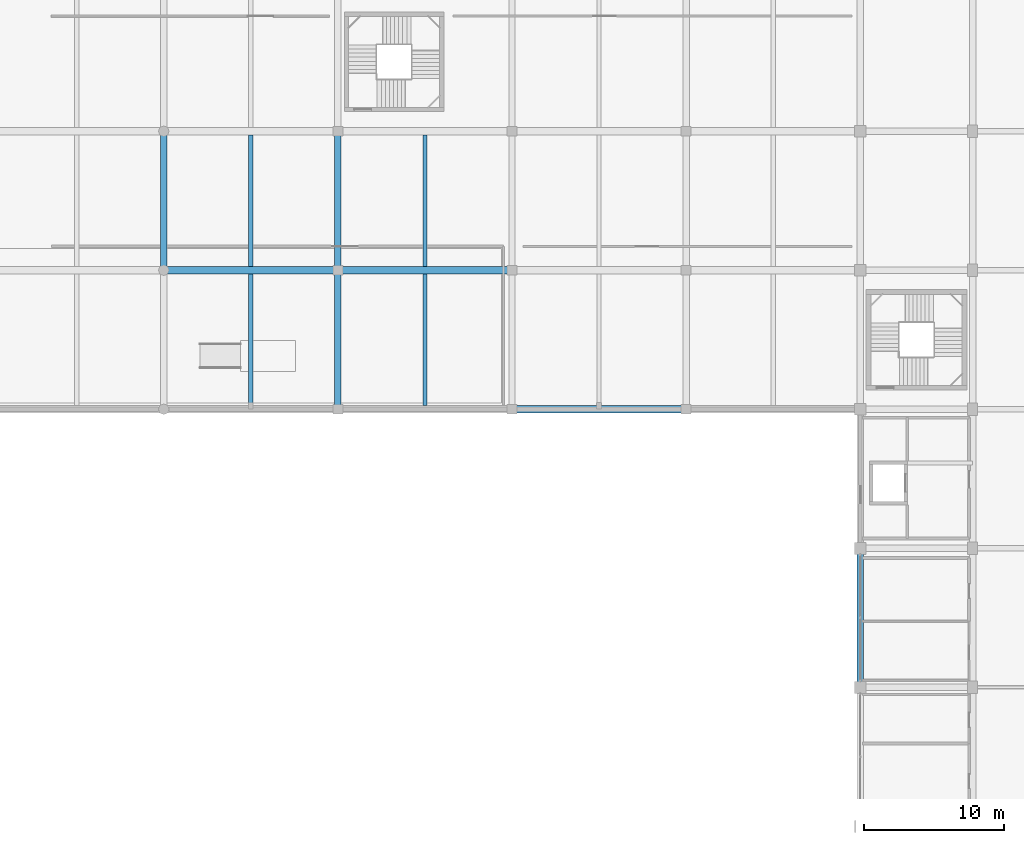
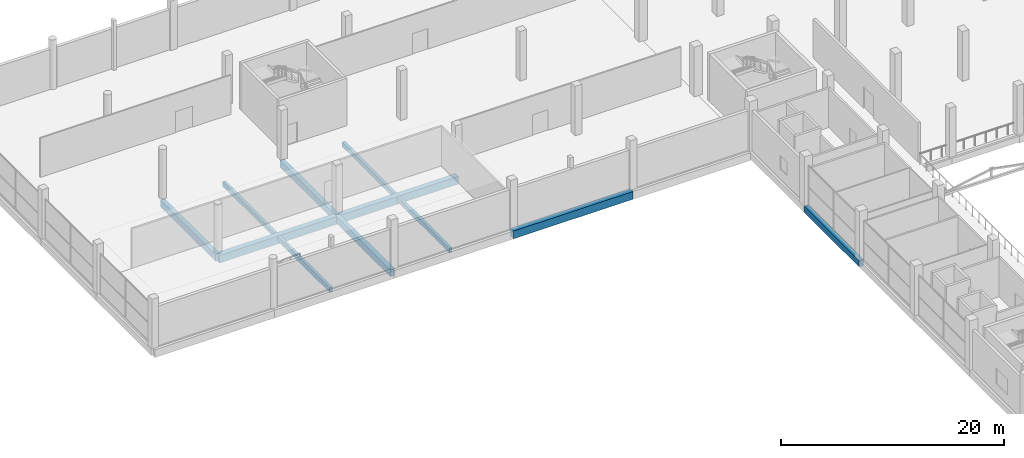
# One storey, part 21 of 74: 11 beams.
"""IFC4 building model written with IfcOpenShell, lengths in metres."""

from ifc_helpers import new_model, si_unit, direction, frame, origin, origin_2d, place, context, subcontext, project, spatial, rectangle, extrude, material, material_profile, profile_set, type_object, element, save


model = new_model("IFC4")

# Units and contexts
model_context = context("Model", 3, precision=1e-05, world=origin(), true_north=direction((0.0, 1.0)))
body_context = subcontext(model_context, "Body", "Model", "MODEL_VIEW")
ifc_project = project(units=[si_unit("LENGTHUNIT", "METRE"), si_unit("AREAUNIT", "SQUARE_METRE"), si_unit("VOLUMEUNIT", "CUBIC_METRE"), si_unit("PLANEANGLEUNIT", "RADIAN"), si_unit("MASSUNIT", "GRAM", prefix="KILO")], contexts=[model_context])

# Site, building, storey
site_placement = place(None, origin())
site = spatial("IfcSite", under=ifc_project, at=site_placement, CompositionType="ELEMENT")
building_placement = place(site_placement, origin())
building = spatial("IfcBuilding", under=site, at=building_placement, Name="Sillaruma Civic Art Gallery", CompositionType="ELEMENT")
storey_placement = place(building_placement, frame((0.0, 0.0, 5.43994140625)))
storey = spatial("IfcBuildingStorey", under=building, at=storey_placement, Name="L01", CompositionType="ELEMENT", Elevation=5.43994140625)

# Beams
ifc_material_1 = material(Name="Concrete H40 (40 MPa)", Category="concrete")
ifc_material_profile_1 = material_profile(ifc_material_1, rectangle(XDim=0.449951171875, YDim=0.75, at=origin_2d()), Name="RCB450x750")
ifc_profile_set_1 = profile_set([ifc_material_profile_1], Name="Concrete H40 (40 MPa)")
beam_type_1 = type_object("IfcBeamType", Name="BM-BEAM-RCB450x750", PredefinedType="BEAM", material=ifc_profile_set_1)
beam_1_placement = place(storey_placement, frame((12.39990234375, 89.10009765625, -0.635009765625), z_axis=(0.0, 1.0, 0.0), x_axis=(-1.0, 0.0, 0.0)))
element("IfcBeam", 1, at=beam_1_placement, inside=storey, type_object=beam_type_1, Name="Beam BM-03 (L00:B:10-11)", PredefinedType="BEAM", context=body_context, shape_type="SweptSolid", body=[
    extrude(rectangle(XDim=0.449951171875, YDim=0.75, at=origin_2d()), origin(), (0.0, 0.0, 1.0), 9.89990234375),
])
beam_2_placement = place(storey_placement, frame((24.800048828125, 79.199951171875, -0.635009765625), z_axis=(0.0, 1.0, 0.0), x_axis=(-1.0, 0.0, 0.0)))
element("IfcBeam", 2, at=beam_2_placement, inside=storey, type_object=beam_type_1, Name="Beam BM-03 (L00:C:9-10)", PredefinedType="BEAM", context=body_context, shape_type="SweptSolid", body=[
    extrude(rectangle(XDim=0.449951171875, YDim=0.75, at=origin_2d()), origin(), (0.0, 0.0, 1.0), 9.900146484375),
])
beam_3_placement = place(storey_placement, frame((24.800048828125, 89.10009765625, -0.635009765625), z_axis=(0.0, 1.0, 0.0), x_axis=(-1.0, 0.0, 0.0)))
element("IfcBeam", 3, at=beam_3_placement, inside=storey, type_object=beam_type_1, Name="Beam BM-03 (L00:C:10-11)", PredefinedType="BEAM", context=body_context, shape_type="SweptSolid", body=[
    extrude(rectangle(XDim=0.449951171875, YDim=0.75, at=origin_2d()), origin(), (0.0, 0.0, 1.0), 9.89990234375),
])
ifc_material_profile_2 = material_profile(ifc_material_1, rectangle(XDim=0.550048828125, YDim=0.85009765625, at=origin_2d()), Name="RCB550x850")
ifc_profile_set_2 = profile_set([ifc_material_profile_2], Name="Concrete H40 (40 MPa)")
beam_type_2 = type_object("IfcBeamType", Name="BM-BEAM-RCB550x850", PredefinedType="BEAM", material=ifc_profile_set_2)
for number, where, z_axis, x_axis, name in (
    (4, (37.199951171875, 79.199951171875, -0.68505859375), (1.0, 0.0, 0.0), (0.0, 1.0, 0.0), "Beam BM-01 (L00:9:D-E)"),
    (5, (12.39990234375, 89.10009765625, -0.68505859375), (1.0, 0.0, 0.0), (0.0, 1.0, 0.0), "Beam BM-01 (L00:10:B-C)"),
):
    element("IfcBeam", number, at=place(storey_placement, frame(where, z_axis=z_axis, x_axis=x_axis)), inside=storey, type_object=beam_type_2, Name=name, PredefinedType="BEAM", context=body_context, shape_type="SweptSolid", body=[
        extrude(rectangle(XDim=0.550048828125, YDim=0.85009765625, at=origin_2d()), origin(), (0.0, 0.0, 1.0), 12.400146484375),
    ])
beam_4_placement = place(storey_placement, frame((24.800048828125, 89.10009765625, -0.68505859375), z_axis=(1.0, 0.0, 0.0), x_axis=(0.0, 1.0, 0.0)))
element("IfcBeam", 6, at=beam_4_placement, inside=storey, type_object=beam_type_2, Name="Beam BM-01 (L00:10:C-D)", PredefinedType="BEAM", context=body_context, shape_type="SweptSolid", body=[
    extrude(rectangle(XDim=0.550048828125, YDim=0.85009765625, at=origin_2d()), origin(), (0.0, 0.0, 1.0), 12.39990234375),
])
ifc_material_2 = material(Name="Concrete H35 (35 MPa)", Category="concrete")
ifc_material_profile_3 = material_profile(ifc_material_2, rectangle(XDim=0.300048828125, YDim=0.52001953125, at=origin_2d()), Name="RCB300x520")
ifc_profile_set_3 = profile_set([ifc_material_profile_3], Name="Concrete H35 (35 MPa)")
beam_type_3 = type_object("IfcBeamType", Name="BM-JOIST-RCB300x520", PredefinedType="JOIST", material=ifc_profile_set_3)
for number, where, z_axis, x_axis, name in (
    (7, (18.60009765625, 79.47509765625, -0.52001953125), (0.0, 1.0, 0.0), (-1.0, 0.0, 0.0), "Floor Joist JR-01 (L00:BC:9-10)"),
    (8, (31.0, 79.47509765625, -0.52001953125), (0.0, 1.0, 0.0), (-1.0, 0.0, 0.0), "Floor Joist JR-01 (L00:CD:9-10)"),
):
    element("IfcBeam", number, at=place(storey_placement, frame(where, z_axis=z_axis, x_axis=x_axis)), inside=storey, type_object=beam_type_3, Name=name, PredefinedType="JOIST", context=body_context, shape_type="SweptSolid", body=[
        extrude(rectangle(XDim=0.300048828125, YDim=0.52001953125, at=origin_2d()), origin(), (0.0, 0.0, 1.0), 9.349853515625),
    ])
for number, where, z_axis, x_axis, name in (
    (9, (18.60009765625, 89.375, -0.52001953125), (0.0, 1.0, 0.0), (-1.0, 0.0, 0.0), "Floor Joist JR-01 (L00:BC:10-11)"),
    (10, (31.0, 89.375, -0.52001953125), (0.0, 1.0, 0.0), (-1.0, 0.0, 0.0), "Floor Joist JR-01 (L00:CD:10-11)"),
):
    element("IfcBeam", number, at=place(storey_placement, frame(where, z_axis=z_axis, x_axis=x_axis)), inside=storey, type_object=beam_type_3, Name=name, PredefinedType="JOIST", context=body_context, shape_type="SweptSolid", body=[
        extrude(rectangle(XDim=0.300048828125, YDim=0.52001953125, at=origin_2d()), origin(), (0.0, 0.0, 1.0), 9.35009765625),
    ])
ifc_material_profile_4 = material_profile(ifc_material_2, rectangle(XDim=0.449951171875, YDim=0.699951171875, at=origin_2d()), Name="RCB450x700")
ifc_profile_set_4 = profile_set([ifc_material_profile_4], Name="Concrete H35 (35 MPa)")
beam_type_4 = type_object("IfcBeamType", Name="BM-SPANDREL-RCB450x700", PredefinedType="SPANDREL", material=ifc_profile_set_4)
beam_5_placement = place(storey_placement, frame((62.0, 59.39990234375, -0.60986328125), z_axis=(0.0, 1.0, 0.0), x_axis=(-1.0, 0.0, 0.0)))
element("IfcBeam", 11, at=beam_5_placement, inside=storey, type_object=beam_type_4, Name="Beam BS-03 (L00:F:7-8)", PredefinedType="SPANDREL", context=body_context, shape_type="SweptSolid", body=[
    extrude(rectangle(XDim=0.449951171875, YDim=0.699951171875, at=origin_2d()), origin(), (0.0, 0.0, 1.0), 9.900146484375),
])

save(model, "model.ifc")
